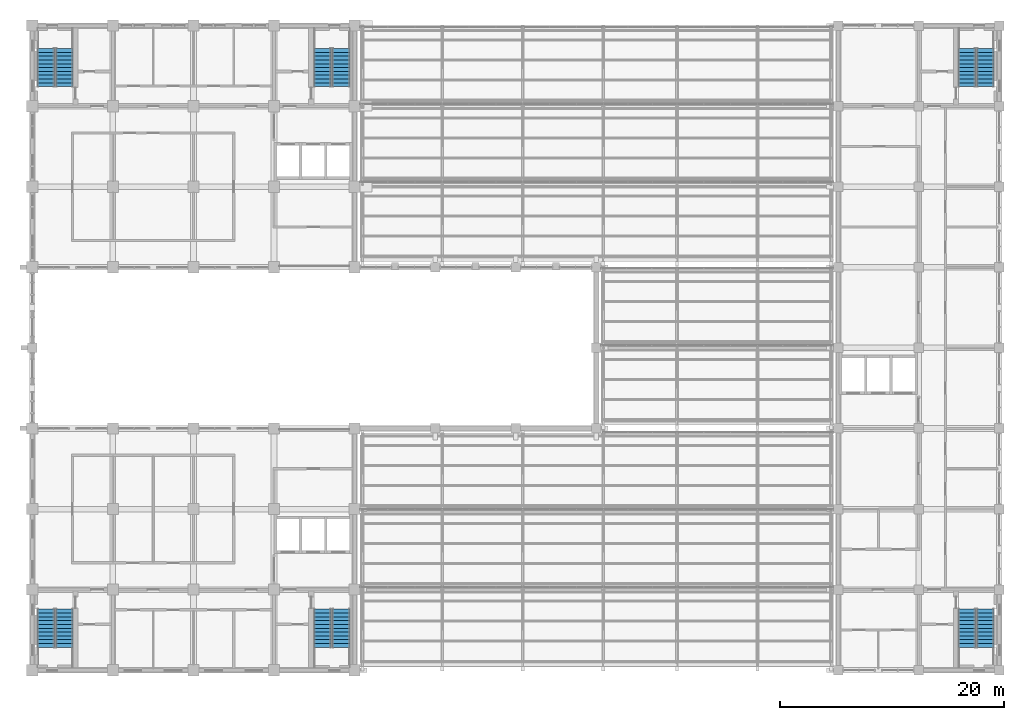
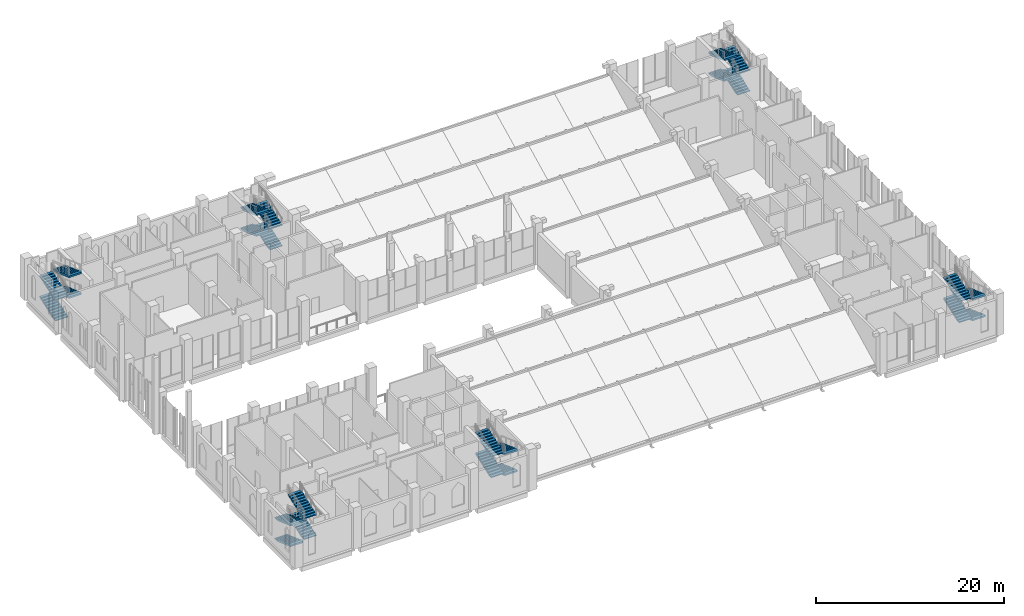
# One storey, part 77 of 83: 24 stair flights, 6 elements without a shape of their own.
"""IFC4 building model written with IfcOpenShell, lengths in metres."""

from ifc_helpers import new_model, si_unit, direction, frame, origin, place, context, subcontext, project, spatial, polyline, outline, extrude, material, type_object, element, aggregate, save


model = new_model("IFC4")

# Units and contexts
model_context = context("Model", 3, precision=1e-05, world=origin(), true_north=direction((0.0, 1.0)))
body_context = subcontext(model_context, "Body", "Model", "MODEL_VIEW")
ifc_project = project(units=[si_unit("LENGTHUNIT", "METRE"), si_unit("AREAUNIT", "SQUARE_METRE"), si_unit("VOLUMEUNIT", "CUBIC_METRE"), si_unit("PLANEANGLEUNIT", "RADIAN"), si_unit("MASSUNIT", "GRAM", prefix="KILO")], contexts=[model_context])

# Site, building, storey
site_placement = place(None, origin())
site = spatial("IfcSite", under=ifc_project, at=site_placement, CompositionType="ELEMENT")
building_placement = place(site_placement, origin())
building = spatial("IfcBuilding", under=site, at=building_placement, Name="Silangan Lancet Faculty of Sciences", CompositionType="ELEMENT")
storey_placement = place(building_placement, frame((0.0, 0.0, 11.39990234375)))
storey = spatial("IfcBuildingStorey", under=building, at=storey_placement, Name="L02", CompositionType="ELEMENT", Elevation=11.39990234375)

# Stair, stair flights
ifc_material_1 = material(Name="Concrete C40/50", Category="concrete")
stair_type = type_object("IfcStairType", Name="TURRET STAIR 1550 FOUR-FLIGHT", PredefinedType="DOUBLE_RETURN_STAIR", material=ifc_material_1)
stair_1_placement = place(storey_placement, origin())
stair_1 = element("IfcStair", 1, at=stair_1_placement, inside=storey, type_object=stair_type, Name="EB-A stair L02", PredefinedType="DOUBLE_RETURN_STAIR")
ifc_material_2 = material(Name="Concrete C40/50", Category="concrete")
stair_flight_type = type_object("IfcStairFlightType", Name="TURRET STAIR FLIGHT 1550", PredefinedType="STRAIGHT", material=ifc_material_2)
stair_flight_1_placement = place(storey_placement, frame((85.175048828125, 5.449951171875, 0.0), z_axis=(0.0, 0.0, 1.0), x_axis=(0.0, -1.0, 0.0)))
stair_flight_1 = element("IfcStairFlight", 2, at=stair_flight_1_placement, type_object=stair_flight_type, Name="STR9 flight 1", NumberOfRisers=11, NumberOfTreads=10, PredefinedType="STRAIGHT", RiserHeight=0.122727273, TreadLength=0.34, context=body_context, shape_type="SweptSolid", body=[
    extrude(outline(polyline([(0.0, 0.0), (0.0, 0.122802734375), (0.340087890625, 0.122802734375), (0.340087890625, 0.245361328125), (0.679931640625, 0.245361328125), (0.679931640625, 0.3681640625), (1.02001953125, 0.3681640625), (1.02001953125, 0.490966796875), (1.360107421875, 0.490966796875), (1.360107421875, 0.613525390625), (1.699951171875, 0.613525390625), (1.699951171875, 0.736328125), (2.0400390625, 0.736328125), (2.0400390625, 0.859130859375), (2.3798828125, 0.859130859375), (2.3798828125, 0.98193359375), (2.719970703125, 0.98193359375), (2.719970703125, 1.1044921875), (3.06005859375, 1.1044921875), (3.06005859375, 1.227294921875), (3.39990234375, 1.227294921875), (3.39990234375, 1.35009765625), (3.39990234375, 1.0146484375), (0.5888671875, 0.0), (0.0, 0.0)])), frame((0.0, 0.77490234375, 0.0), z_axis=(0.0, -1.0, 0.0), x_axis=(1.0, 0.0, 0.0)), (0.0, 0.0, 1.0), 1.550048828125),
])
stair_flight_2_placement = place(storey_placement, frame((83.52490234375, 2.050048828125, 1.35009765625), z_axis=(0.0, 0.0, 1.0), x_axis=(0.0, 1.0, 0.0)))
stair_flight_2 = element("IfcStairFlight", 3, at=stair_flight_2_placement, type_object=stair_flight_type, Name="STR9 flight 2", NumberOfRisers=11, NumberOfTreads=10, PredefinedType="STRAIGHT", RiserHeight=0.122727273, TreadLength=0.34, context=body_context, shape_type="SweptSolid", body=[
    extrude(outline(polyline([(0.0, 0.0), (0.0, 0.122802734375), (0.340087890625, 0.122802734375), (0.340087890625, 0.245361328125), (0.679931640625, 0.245361328125), (0.679931640625, 0.3681640625), (1.02001953125, 0.3681640625), (1.02001953125, 0.490966796875), (1.360107421875, 0.490966796875), (1.360107421875, 0.613525390625), (1.699951171875, 0.613525390625), (1.699951171875, 0.736328125), (2.0400390625, 0.736328125), (2.0400390625, 0.859130859375), (2.3798828125, 0.859130859375), (2.3798828125, 0.98193359375), (2.719970703125, 0.98193359375), (2.719970703125, 1.1044921875), (3.06005859375, 1.1044921875), (3.06005859375, 1.227294921875), (3.39990234375, 1.227294921875), (3.39990234375, 1.35009765625), (3.39990234375, 1.0146484375), (0.5888671875, 0.0), (0.0, 0.0)])), frame((0.0, 0.77490234375, 0.0), z_axis=(0.0, -1.0, 0.0), x_axis=(1.0, 0.0, 0.0)), (0.0, 0.0, 1.0), 1.550048828125),
])
stair_flight_3_placement = place(storey_placement, frame((85.175048828125, 5.449951171875, 2.7001953125), z_axis=(0.0, 0.0, 1.0), x_axis=(0.0, -1.0, 0.0)))
stair_flight_3 = element("IfcStairFlight", 4, at=stair_flight_3_placement, type_object=stair_flight_type, Name="STR9 flight 3", NumberOfRisers=11, NumberOfTreads=10, PredefinedType="STRAIGHT", RiserHeight=0.122727273, TreadLength=0.34, context=body_context, shape_type="SweptSolid", body=[
    extrude(outline(polyline([(0.0, 0.0), (0.0, 0.122802734375), (0.340087890625, 0.122802734375), (0.340087890625, 0.245361328125), (0.679931640625, 0.245361328125), (0.679931640625, 0.3681640625), (1.02001953125, 0.3681640625), (1.02001953125, 0.490966796875), (1.360107421875, 0.490966796875), (1.360107421875, 0.613525390625), (1.699951171875, 0.613525390625), (1.699951171875, 0.736328125), (2.0400390625, 0.736328125), (2.0400390625, 0.859130859375), (2.3798828125, 0.859130859375), (2.3798828125, 0.98193359375), (2.719970703125, 0.98193359375), (2.719970703125, 1.1044921875), (3.06005859375, 1.1044921875), (3.06005859375, 1.227294921875), (3.39990234375, 1.227294921875), (3.39990234375, 1.35009765625), (3.39990234375, 1.0146484375), (0.5888671875, 0.0), (0.0, 0.0)])), frame((0.0, 0.77490234375, 0.0), z_axis=(0.0, -1.0, 0.0), x_axis=(1.0, 0.0, 0.0)), (0.0, 0.0, 1.0), 1.550048828125),
])
stair_flight_4_placement = place(storey_placement, frame((83.52490234375, 2.050048828125, 4.050048828125), z_axis=(0.0, 0.0, 1.0), x_axis=(0.0, 1.0, 0.0)))
stair_flight_4 = element("IfcStairFlight", 5, at=stair_flight_4_placement, type_object=stair_flight_type, Name="STR9 flight 4", NumberOfRisers=11, NumberOfTreads=10, PredefinedType="STRAIGHT", RiserHeight=0.122727273, TreadLength=0.34, context=body_context, shape_type="SweptSolid", body=[
    extrude(outline(polyline([(0.0, 0.0), (0.0, 0.122802734375), (0.340087890625, 0.122802734375), (0.340087890625, 0.245361328125), (0.679931640625, 0.245361328125), (0.679931640625, 0.3681640625), (1.02001953125, 0.3681640625), (1.02001953125, 0.490966796875), (1.360107421875, 0.490966796875), (1.360107421875, 0.613525390625), (1.699951171875, 0.613525390625), (1.699951171875, 0.736328125), (2.0400390625, 0.736328125), (2.0400390625, 0.859130859375), (2.3798828125, 0.859130859375), (2.3798828125, 0.98193359375), (2.719970703125, 0.98193359375), (2.719970703125, 1.1044921875), (3.06005859375, 1.1044921875), (3.06005859375, 1.227294921875), (3.39990234375, 1.227294921875), (3.39990234375, 1.35009765625), (3.39990234375, 1.0146484375), (0.5888671875, 0.0), (0.0, 0.0)])), frame((0.0, 0.77490234375, 0.0), z_axis=(0.0, -1.0, 0.0), x_axis=(1.0, 0.0, 0.0)), (0.0, 0.0, 1.0), 1.550048828125),
])
aggregate(stair_1, [stair_flight_1, stair_flight_2, stair_flight_3, stair_flight_4])

stair_2_placement = place(storey_placement, origin())
stair_2 = element("IfcStair", 6, at=stair_2_placement, inside=storey, type_object=stair_type, Name="EB-B stair L02", PredefinedType="DOUBLE_RETURN_STAIR")
stair_flight_5_placement = place(storey_placement, frame((85.175048828125, 52.14990234375, 0.0), z_axis=(0.0, 0.0, 1.0), x_axis=(0.0, 1.0, 0.0)))
stair_flight_5 = element("IfcStairFlight", 7, at=stair_flight_5_placement, type_object=stair_flight_type, Name="STR10 flight 1", NumberOfRisers=11, NumberOfTreads=10, PredefinedType="STRAIGHT", RiserHeight=0.122727273, TreadLength=0.34, context=body_context, shape_type="SweptSolid", body=[
    extrude(outline(polyline([(0.0, 0.0), (0.0, 0.122802734375), (0.340087890625, 0.122802734375), (0.340087890625, 0.245361328125), (0.679931640625, 0.245361328125), (0.679931640625, 0.3681640625), (1.02001953125, 0.3681640625), (1.02001953125, 0.490966796875), (1.360107421875, 0.490966796875), (1.360107421875, 0.613525390625), (1.699951171875, 0.613525390625), (1.699951171875, 0.736328125), (2.0400390625, 0.736328125), (2.0400390625, 0.859130859375), (2.3798828125, 0.859130859375), (2.3798828125, 0.98193359375), (2.719970703125, 0.98193359375), (2.719970703125, 1.1044921875), (3.06005859375, 1.1044921875), (3.06005859375, 1.227294921875), (3.39990234375, 1.227294921875), (3.39990234375, 1.35009765625), (3.39990234375, 1.0146484375), (0.5888671875, 0.0), (0.0, 0.0)])), frame((0.0, 0.77490234375, 0.0), z_axis=(0.0, -1.0, 0.0), x_axis=(1.0, 0.0, 0.0)), (0.0, 0.0, 1.0), 1.550048828125),
])
stair_flight_6_placement = place(storey_placement, frame((83.52490234375, 55.550048828125, 1.35009765625), z_axis=(0.0, 0.0, 1.0), x_axis=(0.0, -1.0, 0.0)))
stair_flight_6 = element("IfcStairFlight", 8, at=stair_flight_6_placement, type_object=stair_flight_type, Name="STR10 flight 2", NumberOfRisers=11, NumberOfTreads=10, PredefinedType="STRAIGHT", RiserHeight=0.122727273, TreadLength=0.34, context=body_context, shape_type="SweptSolid", body=[
    extrude(outline(polyline([(0.0, 0.0), (0.0, 0.122802734375), (0.340087890625, 0.122802734375), (0.340087890625, 0.245361328125), (0.679931640625, 0.245361328125), (0.679931640625, 0.3681640625), (1.02001953125, 0.3681640625), (1.02001953125, 0.490966796875), (1.360107421875, 0.490966796875), (1.360107421875, 0.613525390625), (1.699951171875, 0.613525390625), (1.699951171875, 0.736328125), (2.0400390625, 0.736328125), (2.0400390625, 0.859130859375), (2.3798828125, 0.859130859375), (2.3798828125, 0.98193359375), (2.719970703125, 0.98193359375), (2.719970703125, 1.1044921875), (3.06005859375, 1.1044921875), (3.06005859375, 1.227294921875), (3.39990234375, 1.227294921875), (3.39990234375, 1.35009765625), (3.39990234375, 1.0146484375), (0.5888671875, 0.0), (0.0, 0.0)])), frame((0.0, 0.77490234375, 0.0), z_axis=(0.0, -1.0, 0.0), x_axis=(1.0, 0.0, 0.0)), (0.0, 0.0, 1.0), 1.550048828125),
])
stair_flight_7_placement = place(storey_placement, frame((85.175048828125, 52.14990234375, 2.7001953125), z_axis=(0.0, 0.0, 1.0), x_axis=(0.0, 1.0, 0.0)))
stair_flight_7 = element("IfcStairFlight", 9, at=stair_flight_7_placement, type_object=stair_flight_type, Name="STR10 flight 3", NumberOfRisers=11, NumberOfTreads=10, PredefinedType="STRAIGHT", RiserHeight=0.122727273, TreadLength=0.34, context=body_context, shape_type="SweptSolid", body=[
    extrude(outline(polyline([(0.0, 0.0), (0.0, 0.122802734375), (0.340087890625, 0.122802734375), (0.340087890625, 0.245361328125), (0.679931640625, 0.245361328125), (0.679931640625, 0.3681640625), (1.02001953125, 0.3681640625), (1.02001953125, 0.490966796875), (1.360107421875, 0.490966796875), (1.360107421875, 0.613525390625), (1.699951171875, 0.613525390625), (1.699951171875, 0.736328125), (2.0400390625, 0.736328125), (2.0400390625, 0.859130859375), (2.3798828125, 0.859130859375), (2.3798828125, 0.98193359375), (2.719970703125, 0.98193359375), (2.719970703125, 1.1044921875), (3.06005859375, 1.1044921875), (3.06005859375, 1.227294921875), (3.39990234375, 1.227294921875), (3.39990234375, 1.35009765625), (3.39990234375, 1.0146484375), (0.5888671875, 0.0), (0.0, 0.0)])), frame((0.0, 0.77490234375, 0.0), z_axis=(0.0, -1.0, 0.0), x_axis=(1.0, 0.0, 0.0)), (0.0, 0.0, 1.0), 1.550048828125),
])
stair_flight_8_placement = place(storey_placement, frame((83.52490234375, 55.550048828125, 4.050048828125), z_axis=(0.0, 0.0, 1.0), x_axis=(0.0, -1.0, 0.0)))
stair_flight_8 = element("IfcStairFlight", 10, at=stair_flight_8_placement, type_object=stair_flight_type, Name="STR10 flight 4", NumberOfRisers=11, NumberOfTreads=10, PredefinedType="STRAIGHT", RiserHeight=0.122727273, TreadLength=0.34, context=body_context, shape_type="SweptSolid", body=[
    extrude(outline(polyline([(0.0, 0.0), (0.0, 0.122802734375), (0.340087890625, 0.122802734375), (0.340087890625, 0.245361328125), (0.679931640625, 0.245361328125), (0.679931640625, 0.3681640625), (1.02001953125, 0.3681640625), (1.02001953125, 0.490966796875), (1.360107421875, 0.490966796875), (1.360107421875, 0.613525390625), (1.699951171875, 0.613525390625), (1.699951171875, 0.736328125), (2.0400390625, 0.736328125), (2.0400390625, 0.859130859375), (2.3798828125, 0.859130859375), (2.3798828125, 0.98193359375), (2.719970703125, 0.98193359375), (2.719970703125, 1.1044921875), (3.06005859375, 1.1044921875), (3.06005859375, 1.227294921875), (3.39990234375, 1.227294921875), (3.39990234375, 1.35009765625), (3.39990234375, 1.0146484375), (0.5888671875, 0.0), (0.0, 0.0)])), frame((0.0, 0.77490234375, 0.0), z_axis=(0.0, -1.0, 0.0), x_axis=(1.0, 0.0, 0.0)), (0.0, 0.0, 1.0), 1.550048828125),
])
aggregate(stair_2, [stair_flight_5, stair_flight_6, stair_flight_7, stair_flight_8])

stair_3_placement = place(storey_placement, origin())
stair_3 = element("IfcStair", 11, at=stair_3_placement, inside=storey, type_object=stair_type, Name="NT-A stair L02", PredefinedType="DOUBLE_RETURN_STAIR")
stair_flight_9_placement = place(storey_placement, frame((1.22509765625, 52.14990234375, 0.0), z_axis=(0.0, 0.0, 1.0), x_axis=(0.0, 1.0, 0.0)))
stair_flight_9 = element("IfcStairFlight", 12, at=stair_flight_9_placement, type_object=stair_flight_type, Name="STR3 flight 1", NumberOfRisers=11, NumberOfTreads=10, PredefinedType="STRAIGHT", RiserHeight=0.122727273, TreadLength=0.34, context=body_context, shape_type="SweptSolid", body=[
    extrude(outline(polyline([(0.0, 0.0), (0.0, 0.122802734375), (0.340087890625, 0.122802734375), (0.340087890625, 0.245361328125), (0.679931640625, 0.245361328125), (0.679931640625, 0.3681640625), (1.02001953125, 0.3681640625), (1.02001953125, 0.490966796875), (1.360107421875, 0.490966796875), (1.360107421875, 0.613525390625), (1.699951171875, 0.613525390625), (1.699951171875, 0.736328125), (2.0400390625, 0.736328125), (2.0400390625, 0.859130859375), (2.3798828125, 0.859130859375), (2.3798828125, 0.98193359375), (2.719970703125, 0.98193359375), (2.719970703125, 1.1044921875), (3.06005859375, 1.1044921875), (3.06005859375, 1.227294921875), (3.39990234375, 1.227294921875), (3.39990234375, 1.35009765625), (3.39990234375, 1.0146484375), (0.5888671875, 0.0), (0.0, 0.0)])), frame((0.0, 0.77490234375, 0.0), z_axis=(0.0, -1.0, 0.0), x_axis=(1.0, 0.0, 0.0)), (0.0, 0.0, 1.0), 1.550048828125),
])
stair_flight_10_placement = place(storey_placement, frame((2.875, 55.550048828125, 1.35009765625), z_axis=(0.0, 0.0, 1.0), x_axis=(0.0, -1.0, 0.0)))
stair_flight_10 = element("IfcStairFlight", 13, at=stair_flight_10_placement, type_object=stair_flight_type, Name="STR3 flight 2", NumberOfRisers=11, NumberOfTreads=10, PredefinedType="STRAIGHT", RiserHeight=0.122727273, TreadLength=0.34, context=body_context, shape_type="SweptSolid", body=[
    extrude(outline(polyline([(0.0, 0.0), (0.0, 0.122802734375), (0.340087890625, 0.122802734375), (0.340087890625, 0.245361328125), (0.679931640625, 0.245361328125), (0.679931640625, 0.3681640625), (1.02001953125, 0.3681640625), (1.02001953125, 0.490966796875), (1.360107421875, 0.490966796875), (1.360107421875, 0.613525390625), (1.699951171875, 0.613525390625), (1.699951171875, 0.736328125), (2.0400390625, 0.736328125), (2.0400390625, 0.859130859375), (2.3798828125, 0.859130859375), (2.3798828125, 0.98193359375), (2.719970703125, 0.98193359375), (2.719970703125, 1.1044921875), (3.06005859375, 1.1044921875), (3.06005859375, 1.227294921875), (3.39990234375, 1.227294921875), (3.39990234375, 1.35009765625), (3.39990234375, 1.0146484375), (0.5888671875, 0.0), (0.0, 0.0)])), frame((0.0, 0.77490234375, 0.0), z_axis=(0.0, -1.0, 0.0), x_axis=(1.0, 0.0, 0.0)), (0.0, 0.0, 1.0), 1.550048828125),
])
stair_flight_11_placement = place(storey_placement, frame((1.22509765625, 52.14990234375, 2.7001953125), z_axis=(0.0, 0.0, 1.0), x_axis=(0.0, 1.0, 0.0)))
stair_flight_11 = element("IfcStairFlight", 14, at=stair_flight_11_placement, type_object=stair_flight_type, Name="STR3 flight 3", NumberOfRisers=11, NumberOfTreads=10, PredefinedType="STRAIGHT", RiserHeight=0.122727273, TreadLength=0.34, context=body_context, shape_type="SweptSolid", body=[
    extrude(outline(polyline([(0.0, 0.0), (0.0, 0.122802734375), (0.340087890625, 0.122802734375), (0.340087890625, 0.245361328125), (0.679931640625, 0.245361328125), (0.679931640625, 0.3681640625), (1.02001953125, 0.3681640625), (1.02001953125, 0.490966796875), (1.360107421875, 0.490966796875), (1.360107421875, 0.613525390625), (1.699951171875, 0.613525390625), (1.699951171875, 0.736328125), (2.0400390625, 0.736328125), (2.0400390625, 0.859130859375), (2.3798828125, 0.859130859375), (2.3798828125, 0.98193359375), (2.719970703125, 0.98193359375), (2.719970703125, 1.1044921875), (3.06005859375, 1.1044921875), (3.06005859375, 1.227294921875), (3.39990234375, 1.227294921875), (3.39990234375, 1.35009765625), (3.39990234375, 1.0146484375), (0.5888671875, 0.0), (0.0, 0.0)])), frame((0.0, 0.77490234375, 0.0), z_axis=(0.0, -1.0, 0.0), x_axis=(1.0, 0.0, 0.0)), (0.0, 0.0, 1.0), 1.550048828125),
])
stair_flight_12_placement = place(storey_placement, frame((2.875, 55.550048828125, 4.050048828125), z_axis=(0.0, 0.0, 1.0), x_axis=(0.0, -1.0, 0.0)))
stair_flight_12 = element("IfcStairFlight", 15, at=stair_flight_12_placement, type_object=stair_flight_type, Name="STR3 flight 4", NumberOfRisers=11, NumberOfTreads=10, PredefinedType="STRAIGHT", RiserHeight=0.122727273, TreadLength=0.34, context=body_context, shape_type="SweptSolid", body=[
    extrude(outline(polyline([(0.0, 0.0), (0.0, 0.122802734375), (0.340087890625, 0.122802734375), (0.340087890625, 0.245361328125), (0.679931640625, 0.245361328125), (0.679931640625, 0.3681640625), (1.02001953125, 0.3681640625), (1.02001953125, 0.490966796875), (1.360107421875, 0.490966796875), (1.360107421875, 0.613525390625), (1.699951171875, 0.613525390625), (1.699951171875, 0.736328125), (2.0400390625, 0.736328125), (2.0400390625, 0.859130859375), (2.3798828125, 0.859130859375), (2.3798828125, 0.98193359375), (2.719970703125, 0.98193359375), (2.719970703125, 1.1044921875), (3.06005859375, 1.1044921875), (3.06005859375, 1.227294921875), (3.39990234375, 1.227294921875), (3.39990234375, 1.35009765625), (3.39990234375, 1.0146484375), (0.5888671875, 0.0), (0.0, 0.0)])), frame((0.0, 0.77490234375, 0.0), z_axis=(0.0, -1.0, 0.0), x_axis=(1.0, 0.0, 0.0)), (0.0, 0.0, 1.0), 1.550048828125),
])
aggregate(stair_3, [stair_flight_9, stair_flight_10, stair_flight_11, stair_flight_12])

stair_4_placement = place(storey_placement, origin())
stair_4 = element("IfcStair", 16, at=stair_4_placement, inside=storey, type_object=stair_type, Name="NT-B stair L02", PredefinedType="DOUBLE_RETURN_STAIR")
stair_flight_13_placement = place(storey_placement, frame((27.60009765625, 52.14990234375, 0.0), z_axis=(0.0, 0.0, 1.0), x_axis=(0.0, 1.0, 0.0)))
stair_flight_13 = element("IfcStairFlight", 17, at=stair_flight_13_placement, type_object=stair_flight_type, Name="STR4 flight 1", NumberOfRisers=11, NumberOfTreads=10, PredefinedType="STRAIGHT", RiserHeight=0.122727273, TreadLength=0.34, context=body_context, shape_type="SweptSolid", body=[
    extrude(outline(polyline([(0.0, 0.0), (0.0, 0.122802734375), (0.340087890625, 0.122802734375), (0.340087890625, 0.245361328125), (0.679931640625, 0.245361328125), (0.679931640625, 0.3681640625), (1.02001953125, 0.3681640625), (1.02001953125, 0.490966796875), (1.360107421875, 0.490966796875), (1.360107421875, 0.613525390625), (1.699951171875, 0.613525390625), (1.699951171875, 0.736328125), (2.0400390625, 0.736328125), (2.0400390625, 0.859130859375), (2.3798828125, 0.859130859375), (2.3798828125, 0.98193359375), (2.719970703125, 0.98193359375), (2.719970703125, 1.1044921875), (3.06005859375, 1.1044921875), (3.06005859375, 1.227294921875), (3.39990234375, 1.227294921875), (3.39990234375, 1.35009765625), (3.39990234375, 1.0146484375), (0.5888671875, 0.0), (0.0, 0.0)])), frame((0.0, 0.77490234375, 0.0), z_axis=(0.0, -1.0, 0.0), x_axis=(1.0, 0.0, 0.0)), (0.0, 0.0, 1.0), 1.550048828125),
])
stair_flight_14_placement = place(storey_placement, frame((25.925048828125, 55.550048828125, 1.35009765625), z_axis=(0.0, 0.0, 1.0), x_axis=(0.0, -1.0, 0.0)))
stair_flight_14 = element("IfcStairFlight", 18, at=stair_flight_14_placement, type_object=stair_flight_type, Name="STR4 flight 2", NumberOfRisers=11, NumberOfTreads=10, PredefinedType="STRAIGHT", RiserHeight=0.122727273, TreadLength=0.34, context=body_context, shape_type="SweptSolid", body=[
    extrude(outline(polyline([(0.0, 0.0), (0.0, 0.122802734375), (0.340087890625, 0.122802734375), (0.340087890625, 0.245361328125), (0.679931640625, 0.245361328125), (0.679931640625, 0.3681640625), (1.02001953125, 0.3681640625), (1.02001953125, 0.490966796875), (1.360107421875, 0.490966796875), (1.360107421875, 0.613525390625), (1.699951171875, 0.613525390625), (1.699951171875, 0.736328125), (2.0400390625, 0.736328125), (2.0400390625, 0.859130859375), (2.3798828125, 0.859130859375), (2.3798828125, 0.98193359375), (2.719970703125, 0.98193359375), (2.719970703125, 1.1044921875), (3.06005859375, 1.1044921875), (3.06005859375, 1.227294921875), (3.39990234375, 1.227294921875), (3.39990234375, 1.35009765625), (3.39990234375, 1.0146484375), (0.5888671875, 0.0), (0.0, 0.0)])), frame((0.0, 0.77490234375, 0.0), z_axis=(0.0, -1.0, 0.0), x_axis=(1.0, 0.0, 0.0)), (0.0, 0.0, 1.0), 1.550048828125),
])
stair_flight_15_placement = place(storey_placement, frame((27.60009765625, 52.14990234375, 2.7001953125), z_axis=(0.0, 0.0, 1.0), x_axis=(0.0, 1.0, 0.0)))
stair_flight_15 = element("IfcStairFlight", 19, at=stair_flight_15_placement, type_object=stair_flight_type, Name="STR4 flight 3", NumberOfRisers=11, NumberOfTreads=10, PredefinedType="STRAIGHT", RiserHeight=0.122727273, TreadLength=0.34, context=body_context, shape_type="SweptSolid", body=[
    extrude(outline(polyline([(0.0, 0.0), (0.0, 0.122802734375), (0.340087890625, 0.122802734375), (0.340087890625, 0.245361328125), (0.679931640625, 0.245361328125), (0.679931640625, 0.3681640625), (1.02001953125, 0.3681640625), (1.02001953125, 0.490966796875), (1.360107421875, 0.490966796875), (1.360107421875, 0.613525390625), (1.699951171875, 0.613525390625), (1.699951171875, 0.736328125), (2.0400390625, 0.736328125), (2.0400390625, 0.859130859375), (2.3798828125, 0.859130859375), (2.3798828125, 0.98193359375), (2.719970703125, 0.98193359375), (2.719970703125, 1.1044921875), (3.06005859375, 1.1044921875), (3.06005859375, 1.227294921875), (3.39990234375, 1.227294921875), (3.39990234375, 1.35009765625), (3.39990234375, 1.0146484375), (0.5888671875, 0.0), (0.0, 0.0)])), frame((0.0, 0.77490234375, 0.0), z_axis=(0.0, -1.0, 0.0), x_axis=(1.0, 0.0, 0.0)), (0.0, 0.0, 1.0), 1.550048828125),
])
stair_flight_16_placement = place(storey_placement, frame((25.925048828125, 55.550048828125, 4.050048828125), z_axis=(0.0, 0.0, 1.0), x_axis=(0.0, -1.0, 0.0)))
stair_flight_16 = element("IfcStairFlight", 20, at=stair_flight_16_placement, type_object=stair_flight_type, Name="STR4 flight 4", NumberOfRisers=11, NumberOfTreads=10, PredefinedType="STRAIGHT", RiserHeight=0.122727273, TreadLength=0.34, context=body_context, shape_type="SweptSolid", body=[
    extrude(outline(polyline([(0.0, 0.0), (0.0, 0.122802734375), (0.340087890625, 0.122802734375), (0.340087890625, 0.245361328125), (0.679931640625, 0.245361328125), (0.679931640625, 0.3681640625), (1.02001953125, 0.3681640625), (1.02001953125, 0.490966796875), (1.360107421875, 0.490966796875), (1.360107421875, 0.613525390625), (1.699951171875, 0.613525390625), (1.699951171875, 0.736328125), (2.0400390625, 0.736328125), (2.0400390625, 0.859130859375), (2.3798828125, 0.859130859375), (2.3798828125, 0.98193359375), (2.719970703125, 0.98193359375), (2.719970703125, 1.1044921875), (3.06005859375, 1.1044921875), (3.06005859375, 1.227294921875), (3.39990234375, 1.227294921875), (3.39990234375, 1.35009765625), (3.39990234375, 1.0146484375), (0.5888671875, 0.0), (0.0, 0.0)])), frame((0.0, 0.77490234375, 0.0), z_axis=(0.0, -1.0, 0.0), x_axis=(1.0, 0.0, 0.0)), (0.0, 0.0, 1.0), 1.550048828125),
])
aggregate(stair_4, [stair_flight_13, stair_flight_14, stair_flight_15, stair_flight_16])

stair_5_placement = place(storey_placement, origin())
stair_5 = element("IfcStair", 21, at=stair_5_placement, inside=storey, type_object=stair_type, Name="ST-A stair L02", PredefinedType="DOUBLE_RETURN_STAIR")
stair_flight_17_placement = place(storey_placement, frame((1.22509765625, 5.449951171875, 0.0), z_axis=(0.0, 0.0, 1.0), x_axis=(0.0, -1.0, 0.0)))
stair_flight_17 = element("IfcStairFlight", 22, at=stair_flight_17_placement, type_object=stair_flight_type, Name="STR1 flight 1", NumberOfRisers=11, NumberOfTreads=10, PredefinedType="STRAIGHT", RiserHeight=0.122727273, TreadLength=0.34, context=body_context, shape_type="SweptSolid", body=[
    extrude(outline(polyline([(0.0, 0.0), (0.0, 0.122802734375), (0.340087890625, 0.122802734375), (0.340087890625, 0.245361328125), (0.679931640625, 0.245361328125), (0.679931640625, 0.3681640625), (1.02001953125, 0.3681640625), (1.02001953125, 0.490966796875), (1.360107421875, 0.490966796875), (1.360107421875, 0.613525390625), (1.699951171875, 0.613525390625), (1.699951171875, 0.736328125), (2.0400390625, 0.736328125), (2.0400390625, 0.859130859375), (2.3798828125, 0.859130859375), (2.3798828125, 0.98193359375), (2.719970703125, 0.98193359375), (2.719970703125, 1.1044921875), (3.06005859375, 1.1044921875), (3.06005859375, 1.227294921875), (3.39990234375, 1.227294921875), (3.39990234375, 1.35009765625), (3.39990234375, 1.0146484375), (0.5888671875, 0.0), (0.0, 0.0)])), frame((0.0, 0.77490234375, 0.0), z_axis=(0.0, -1.0, 0.0), x_axis=(1.0, 0.0, 0.0)), (0.0, 0.0, 1.0), 1.550048828125),
])
stair_flight_18_placement = place(storey_placement, frame((2.875, 2.050048828125, 1.35009765625), z_axis=(0.0, 0.0, 1.0), x_axis=(0.0, 1.0, 0.0)))
stair_flight_18 = element("IfcStairFlight", 23, at=stair_flight_18_placement, type_object=stair_flight_type, Name="STR1 flight 2", NumberOfRisers=11, NumberOfTreads=10, PredefinedType="STRAIGHT", RiserHeight=0.122727273, TreadLength=0.34, context=body_context, shape_type="SweptSolid", body=[
    extrude(outline(polyline([(0.0, 0.0), (0.0, 0.122802734375), (0.340087890625, 0.122802734375), (0.340087890625, 0.245361328125), (0.679931640625, 0.245361328125), (0.679931640625, 0.3681640625), (1.02001953125, 0.3681640625), (1.02001953125, 0.490966796875), (1.360107421875, 0.490966796875), (1.360107421875, 0.613525390625), (1.699951171875, 0.613525390625), (1.699951171875, 0.736328125), (2.0400390625, 0.736328125), (2.0400390625, 0.859130859375), (2.3798828125, 0.859130859375), (2.3798828125, 0.98193359375), (2.719970703125, 0.98193359375), (2.719970703125, 1.1044921875), (3.06005859375, 1.1044921875), (3.06005859375, 1.227294921875), (3.39990234375, 1.227294921875), (3.39990234375, 1.35009765625), (3.39990234375, 1.0146484375), (0.5888671875, 0.0), (0.0, 0.0)])), frame((0.0, 0.77490234375, 0.0), z_axis=(0.0, -1.0, 0.0), x_axis=(1.0, 0.0, 0.0)), (0.0, 0.0, 1.0), 1.550048828125),
])
stair_flight_19_placement = place(storey_placement, frame((1.22509765625, 5.449951171875, 2.7001953125), z_axis=(0.0, 0.0, 1.0), x_axis=(0.0, -1.0, 0.0)))
stair_flight_19 = element("IfcStairFlight", 24, at=stair_flight_19_placement, type_object=stair_flight_type, Name="STR1 flight 3", NumberOfRisers=11, NumberOfTreads=10, PredefinedType="STRAIGHT", RiserHeight=0.122727273, TreadLength=0.34, context=body_context, shape_type="SweptSolid", body=[
    extrude(outline(polyline([(0.0, 0.0), (0.0, 0.122802734375), (0.340087890625, 0.122802734375), (0.340087890625, 0.245361328125), (0.679931640625, 0.245361328125), (0.679931640625, 0.3681640625), (1.02001953125, 0.3681640625), (1.02001953125, 0.490966796875), (1.360107421875, 0.490966796875), (1.360107421875, 0.613525390625), (1.699951171875, 0.613525390625), (1.699951171875, 0.736328125), (2.0400390625, 0.736328125), (2.0400390625, 0.859130859375), (2.3798828125, 0.859130859375), (2.3798828125, 0.98193359375), (2.719970703125, 0.98193359375), (2.719970703125, 1.1044921875), (3.06005859375, 1.1044921875), (3.06005859375, 1.227294921875), (3.39990234375, 1.227294921875), (3.39990234375, 1.35009765625), (3.39990234375, 1.0146484375), (0.5888671875, 0.0), (0.0, 0.0)])), frame((0.0, 0.77490234375, 0.0), z_axis=(0.0, -1.0, 0.0), x_axis=(1.0, 0.0, 0.0)), (0.0, 0.0, 1.0), 1.550048828125),
])
stair_flight_20_placement = place(storey_placement, frame((2.875, 2.050048828125, 4.050048828125), z_axis=(0.0, 0.0, 1.0), x_axis=(0.0, 1.0, 0.0)))
stair_flight_20 = element("IfcStairFlight", 25, at=stair_flight_20_placement, type_object=stair_flight_type, Name="STR1 flight 4", NumberOfRisers=11, NumberOfTreads=10, PredefinedType="STRAIGHT", RiserHeight=0.122727273, TreadLength=0.34, context=body_context, shape_type="SweptSolid", body=[
    extrude(outline(polyline([(0.0, 0.0), (0.0, 0.122802734375), (0.340087890625, 0.122802734375), (0.340087890625, 0.245361328125), (0.679931640625, 0.245361328125), (0.679931640625, 0.3681640625), (1.02001953125, 0.3681640625), (1.02001953125, 0.490966796875), (1.360107421875, 0.490966796875), (1.360107421875, 0.613525390625), (1.699951171875, 0.613525390625), (1.699951171875, 0.736328125), (2.0400390625, 0.736328125), (2.0400390625, 0.859130859375), (2.3798828125, 0.859130859375), (2.3798828125, 0.98193359375), (2.719970703125, 0.98193359375), (2.719970703125, 1.1044921875), (3.06005859375, 1.1044921875), (3.06005859375, 1.227294921875), (3.39990234375, 1.227294921875), (3.39990234375, 1.35009765625), (3.39990234375, 1.0146484375), (0.5888671875, 0.0), (0.0, 0.0)])), frame((0.0, 0.77490234375, 0.0), z_axis=(0.0, -1.0, 0.0), x_axis=(1.0, 0.0, 0.0)), (0.0, 0.0, 1.0), 1.550048828125),
])
aggregate(stair_5, [stair_flight_17, stair_flight_18, stair_flight_19, stair_flight_20])

stair_6_placement = place(storey_placement, origin())
stair_6 = element("IfcStair", 26, at=stair_6_placement, inside=storey, type_object=stair_type, Name="ST-B stair L02", PredefinedType="DOUBLE_RETURN_STAIR")
stair_flight_21_placement = place(storey_placement, frame((27.60009765625, 5.449951171875, 0.0), z_axis=(0.0, 0.0, 1.0), x_axis=(0.0, -1.0, 0.0)))
stair_flight_21 = element("IfcStairFlight", 27, at=stair_flight_21_placement, type_object=stair_flight_type, Name="STR2 flight 1", NumberOfRisers=11, NumberOfTreads=10, PredefinedType="STRAIGHT", RiserHeight=0.122727273, TreadLength=0.34, context=body_context, shape_type="SweptSolid", body=[
    extrude(outline(polyline([(0.0, 0.0), (0.0, 0.122802734375), (0.340087890625, 0.122802734375), (0.340087890625, 0.245361328125), (0.679931640625, 0.245361328125), (0.679931640625, 0.3681640625), (1.02001953125, 0.3681640625), (1.02001953125, 0.490966796875), (1.360107421875, 0.490966796875), (1.360107421875, 0.613525390625), (1.699951171875, 0.613525390625), (1.699951171875, 0.736328125), (2.0400390625, 0.736328125), (2.0400390625, 0.859130859375), (2.3798828125, 0.859130859375), (2.3798828125, 0.98193359375), (2.719970703125, 0.98193359375), (2.719970703125, 1.1044921875), (3.06005859375, 1.1044921875), (3.06005859375, 1.227294921875), (3.39990234375, 1.227294921875), (3.39990234375, 1.35009765625), (3.39990234375, 1.0146484375), (0.5888671875, 0.0), (0.0, 0.0)])), frame((0.0, 0.77490234375, 0.0), z_axis=(0.0, -1.0, 0.0), x_axis=(1.0, 0.0, 0.0)), (0.0, 0.0, 1.0), 1.550048828125),
])
stair_flight_22_placement = place(storey_placement, frame((25.925048828125, 2.050048828125, 1.35009765625), z_axis=(0.0, 0.0, 1.0), x_axis=(0.0, 1.0, 0.0)))
stair_flight_22 = element("IfcStairFlight", 28, at=stair_flight_22_placement, type_object=stair_flight_type, Name="STR2 flight 2", NumberOfRisers=11, NumberOfTreads=10, PredefinedType="STRAIGHT", RiserHeight=0.122727273, TreadLength=0.34, context=body_context, shape_type="SweptSolid", body=[
    extrude(outline(polyline([(0.0, 0.0), (0.0, 0.122802734375), (0.340087890625, 0.122802734375), (0.340087890625, 0.245361328125), (0.679931640625, 0.245361328125), (0.679931640625, 0.3681640625), (1.02001953125, 0.3681640625), (1.02001953125, 0.490966796875), (1.360107421875, 0.490966796875), (1.360107421875, 0.613525390625), (1.699951171875, 0.613525390625), (1.699951171875, 0.736328125), (2.0400390625, 0.736328125), (2.0400390625, 0.859130859375), (2.3798828125, 0.859130859375), (2.3798828125, 0.98193359375), (2.719970703125, 0.98193359375), (2.719970703125, 1.1044921875), (3.06005859375, 1.1044921875), (3.06005859375, 1.227294921875), (3.39990234375, 1.227294921875), (3.39990234375, 1.35009765625), (3.39990234375, 1.0146484375), (0.5888671875, 0.0), (0.0, 0.0)])), frame((0.0, 0.77490234375, 0.0), z_axis=(0.0, -1.0, 0.0), x_axis=(1.0, 0.0, 0.0)), (0.0, 0.0, 1.0), 1.550048828125),
])
stair_flight_23_placement = place(storey_placement, frame((27.60009765625, 5.449951171875, 2.7001953125), z_axis=(0.0, 0.0, 1.0), x_axis=(0.0, -1.0, 0.0)))
stair_flight_23 = element("IfcStairFlight", 29, at=stair_flight_23_placement, type_object=stair_flight_type, Name="STR2 flight 3", NumberOfRisers=11, NumberOfTreads=10, PredefinedType="STRAIGHT", RiserHeight=0.122727273, TreadLength=0.34, context=body_context, shape_type="SweptSolid", body=[
    extrude(outline(polyline([(0.0, 0.0), (0.0, 0.122802734375), (0.340087890625, 0.122802734375), (0.340087890625, 0.245361328125), (0.679931640625, 0.245361328125), (0.679931640625, 0.3681640625), (1.02001953125, 0.3681640625), (1.02001953125, 0.490966796875), (1.360107421875, 0.490966796875), (1.360107421875, 0.613525390625), (1.699951171875, 0.613525390625), (1.699951171875, 0.736328125), (2.0400390625, 0.736328125), (2.0400390625, 0.859130859375), (2.3798828125, 0.859130859375), (2.3798828125, 0.98193359375), (2.719970703125, 0.98193359375), (2.719970703125, 1.1044921875), (3.06005859375, 1.1044921875), (3.06005859375, 1.227294921875), (3.39990234375, 1.227294921875), (3.39990234375, 1.35009765625), (3.39990234375, 1.0146484375), (0.5888671875, 0.0), (0.0, 0.0)])), frame((0.0, 0.77490234375, 0.0), z_axis=(0.0, -1.0, 0.0), x_axis=(1.0, 0.0, 0.0)), (0.0, 0.0, 1.0), 1.550048828125),
])
stair_flight_24_placement = place(storey_placement, frame((25.925048828125, 2.050048828125, 4.050048828125), z_axis=(0.0, 0.0, 1.0), x_axis=(0.0, 1.0, 0.0)))
stair_flight_24 = element("IfcStairFlight", 30, at=stair_flight_24_placement, type_object=stair_flight_type, Name="STR2 flight 4", NumberOfRisers=11, NumberOfTreads=10, PredefinedType="STRAIGHT", RiserHeight=0.122727273, TreadLength=0.34, context=body_context, shape_type="SweptSolid", body=[
    extrude(outline(polyline([(0.0, 0.0), (0.0, 0.122802734375), (0.340087890625, 0.122802734375), (0.340087890625, 0.245361328125), (0.679931640625, 0.245361328125), (0.679931640625, 0.3681640625), (1.02001953125, 0.3681640625), (1.02001953125, 0.490966796875), (1.360107421875, 0.490966796875), (1.360107421875, 0.613525390625), (1.699951171875, 0.613525390625), (1.699951171875, 0.736328125), (2.0400390625, 0.736328125), (2.0400390625, 0.859130859375), (2.3798828125, 0.859130859375), (2.3798828125, 0.98193359375), (2.719970703125, 0.98193359375), (2.719970703125, 1.1044921875), (3.06005859375, 1.1044921875), (3.06005859375, 1.227294921875), (3.39990234375, 1.227294921875), (3.39990234375, 1.35009765625), (3.39990234375, 1.0146484375), (0.5888671875, 0.0), (0.0, 0.0)])), frame((0.0, 0.77490234375, 0.0), z_axis=(0.0, -1.0, 0.0), x_axis=(1.0, 0.0, 0.0)), (0.0, 0.0, 1.0), 1.550048828125),
])
aggregate(stair_6, [stair_flight_21, stair_flight_22, stair_flight_23, stair_flight_24])

save(model, "model.ifc")
